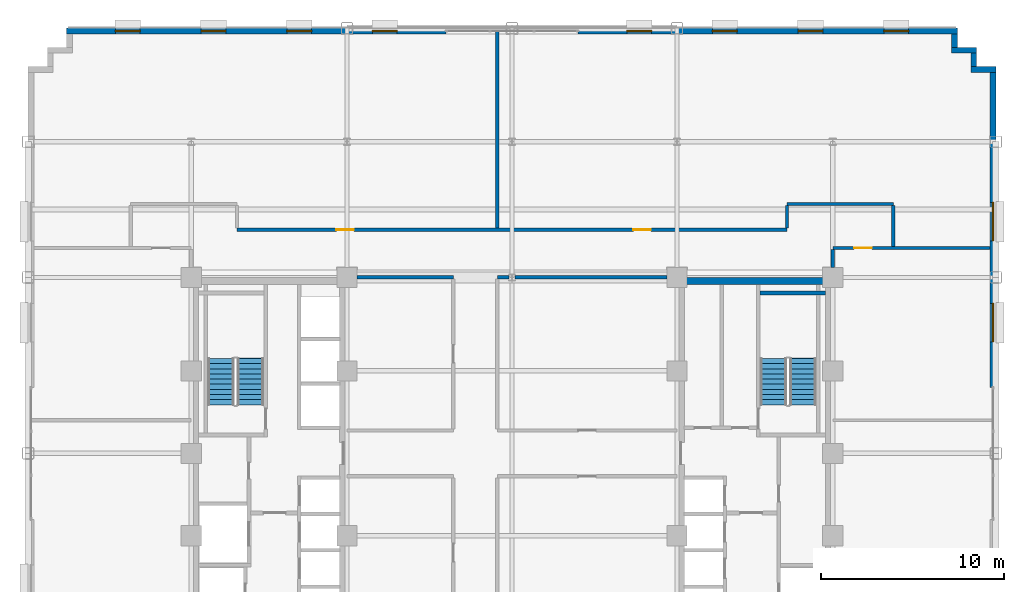
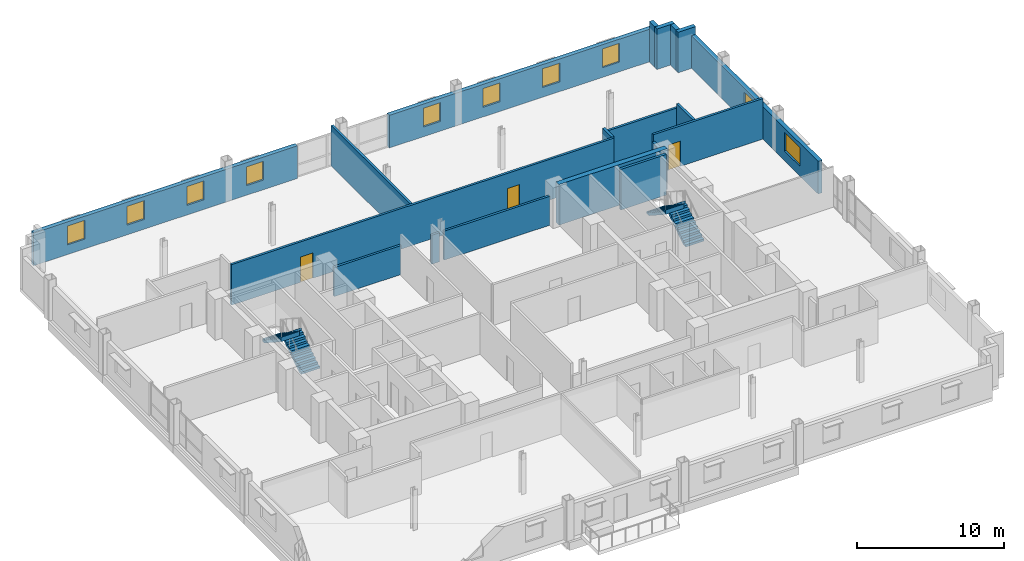
# One storey, part 9 of 17: 19 walls, 10 windows, 4 stair flights, 3 doors, 13 openings, 2 elements without a shape of their own.
"""IFC4 building model written with IfcOpenShell, lengths in metres."""

from ifc_helpers import new_model, si_unit, direction, frame, frame_2d, origin, place, context, subcontext, project, spatial, polyline, rectangle, outline, extrude, source, transform, mapped, material, layer, layer_set, type_object, type_shapes, element, fill, aggregate, save


model = new_model("IFC4")

# Units and contexts
model_context = context("Model", 3, precision=1e-05, world=origin(), true_north=direction((0.0, 1.0)))
body_context = subcontext(model_context, "Body", "Model", "MODEL_VIEW")
ifc_project = project(units=[si_unit("LENGTHUNIT", "METRE"), si_unit("AREAUNIT", "SQUARE_METRE"), si_unit("VOLUMEUNIT", "CUBIC_METRE"), si_unit("PLANEANGLEUNIT", "RADIAN"), si_unit("MASSUNIT", "GRAM", prefix="KILO")], contexts=[model_context])

# Site, building, storey
site_placement = place(None, origin())
site = spatial("IfcSite", under=ifc_project, at=site_placement, CompositionType="ELEMENT")
building_placement = place(site_placement, origin())
building = spatial("IfcBuilding", under=site, at=building_placement, Name="Nuvemarco Arch Tower", CompositionType="ELEMENT")
storey_placement = place(building_placement, frame((0.0, 0.0, 120.199951171875)))
storey = spatial("IfcBuildingStorey", under=building, at=storey_placement, Name="L31", CompositionType="ELEMENT", Elevation=120.199951171875)

# Wall, openings, windows
ifc_material_1 = material(Name="Precast concrete C45/55", Category="concrete")
ifc_layer_1 = layer(ifc_material_1, 0.320068359375, Name="EW-MID-320")
ifc_layer_set_1 = layer_set([ifc_layer_1], Name="Precast concrete C45/55")
wall_type_1 = type_object("IfcWallType", Name="EW-MID-320", PredefinedType="STANDARD", material=ifc_layer_set_1)
wall_1_placement = place(storey_placement, frame((26.239990234375, 3.60009765625, 0.0), z_axis=(0.0, 0.0, 1.0), x_axis=(0.0, 1.0, 0.0)))
wall_1 = element("IfcWall", 1, at=wall_1_placement, inside=storey, type_object=wall_type_1, Name="L31 exterior precast pier wall east right", PredefinedType="STANDARD", context=body_context, shape_type="SweptSolid", body=[
    extrude(rectangle(XDim=17.183837890625, YDim=0.320068359375, at=frame_2d((8.591796875, 0.0))), origin(), (0.0, 0.0, 1.0), 2.705078125),
])
opening_1_placement = place(wall_1_placement, frame((2.480712890625, 0.0, 0.800048828125)))
opening_1 = element("IfcOpeningElement", 2, at=opening_1_placement, cuts=wall_1, Name="Opening WN-5", PredefinedType="OPENING", context=body_context, shape_type="SweptSolid", body=[
    extrude(rectangle(XDim=2.10009765625, YDim=1.56005859375, at=frame_2d((1.050048828125, 0.780029296875))), frame((0.0, 0.169921875, 0.0), z_axis=(0.0, -1.0, 0.0), x_axis=(1.0, 0.0, 0.0)), (0.0, 0.0, 1.0), 0.340087890625),
])
opening_2_placement = place(wall_1_placement, frame((7.991943359375, 0.0, 0.800048828125)))
opening_2 = element("IfcOpeningElement", 3, at=opening_2_placement, cuts=wall_1, Name="Opening WN-5", PredefinedType="OPENING", context=body_context, shape_type="SweptSolid", body=[
    extrude(rectangle(XDim=2.10009765625, YDim=1.56005859375, at=frame_2d((1.050048828125, 0.780029296875))), frame((0.0, 0.169921875, 0.0), z_axis=(0.0, -1.0, 0.0), x_axis=(1.0, 0.0, 0.0)), (0.0, 0.0, 1.0), 0.340087890625),
])
ifc_material_2 = material(Name="Insulated solar-control glass", Category="glass")
window_type_1 = type_object("IfcWindowType", Name="WN-MID-2100x1560", PartitioningType="DOUBLE_PANEL_VERTICAL", PredefinedType="WINDOW", material=ifc_material_2)
shared_shape_1 = source(origin(), body_context, "Body", "SweptSolid", [
    extrude(rectangle(XDim=2.10009765625, YDim=1.56005859375, at=frame_2d((1.050048828125, 0.780029296875))), frame((0.0, 0.030029296875, 0.0), z_axis=(0.0, -1.0, 0.0), x_axis=(1.0, 0.0, 0.0)), (0.0, 0.0, 1.0), 0.06005859375),
])
type_shapes(window_type_1, [shared_shape_1])
window_1_placement = place(opening_1_placement, origin())
window_1 = element("IfcWindow", 4, at=window_1_placement, inside=storey, type_object=window_type_1, Name="L31 punched facade window 1", OverallHeight=1.56005859375, OverallWidth=2.10009765625, PartitioningType="SINGLE_PANEL", PredefinedType="WINDOW", context=body_context, shape_type="MappedRepresentation", body=[
    mapped(shared_shape_1, transform((0.0, 0.0, 0.0), scale=1.0)),
])
fill(opening_1, window_1)
window_2_placement = place(opening_2_placement, origin())
window_2 = element("IfcWindow", 5, at=window_2_placement, inside=storey, type_object=window_type_1, Name="L31 punched facade window 2", OverallHeight=1.56005859375, OverallWidth=2.10009765625, PartitioningType="SINGLE_PANEL", PredefinedType="WINDOW", context=body_context, shape_type="MappedRepresentation", body=[
    mapped(shared_shape_1, transform((0.0, 0.0, 0.0), scale=1.0)),
])
fill(opening_2, window_2)

# Walls
wall_2_placement = place(storey_placement, frame((25.030029296875, 20.93994140625, 0.0), z_axis=(0.0, 0.0, 1.0), x_axis=(1.0, 0.0, 0.0)))
element("IfcWall", 6, at=wall_2_placement, inside=storey, type_object=wall_type_1, Name="L31 exterior precast facade wall 7", PredefinedType="STANDARD", context=body_context, shape_type="SweptSolid", body=[
    extrude(rectangle(XDim=1.369873046875, YDim=0.320068359375, at=frame_2d((0.68505859375, 0.0))), origin(), (0.0, 0.0, 1.0), 3.360107421875),
])
wall_3_placement = place(storey_placement, frame((25.18994140625, 21.095947265625, 0.0), z_axis=(0.0, 0.0, 1.0), x_axis=(0.0, 1.0, 0.0)))
element("IfcWall", 7, at=wall_3_placement, inside=storey, type_object=wall_type_1, Name="L31 exterior precast facade wall 8", PredefinedType="STANDARD", context=body_context, shape_type="SweptSolid", body=[
    extrude(rectangle(XDim=0.738037109375, YDim=0.320068359375, at=frame_2d((0.369140625, 0.0))), origin(), (0.0, 0.0, 1.0), 3.360107421875),
])
wall_4_placement = place(storey_placement, frame((23.97998046875, 21.989990234375, 0.0), z_axis=(0.0, 0.0, 1.0), x_axis=(1.0, 0.0, 0.0)))
element("IfcWall", 8, at=wall_4_placement, inside=storey, type_object=wall_type_1, Name="L31 exterior precast facade wall 9", PredefinedType="STANDARD", context=body_context, shape_type="SweptSolid", body=[
    extrude(rectangle(XDim=1.3701171875, YDim=0.320068359375, at=frame_2d((0.68505859375, 0.0))), origin(), (0.0, 0.0, 1.0), 3.360107421875),
])
wall_5_placement = place(storey_placement, frame((24.139892578125, 22.14599609375, 0.0), z_axis=(0.0, 0.0, 1.0), x_axis=(0.0, 1.0, 0.0)))
element("IfcWall", 9, at=wall_5_placement, inside=storey, type_object=wall_type_1, Name="L31 exterior precast facade wall 10", PredefinedType="STANDARD", context=body_context, shape_type="SweptSolid", body=[
    extrude(rectangle(XDim=0.738037109375, YDim=0.320068359375, at=frame_2d((0.369140625, 0.0))), origin(), (0.0, 0.0, 1.0), 3.360107421875),
])

# Wall, openings, windows
wall_6_placement = place(storey_placement, frame((-24.300048828125, 23.0400390625, 0.0), z_axis=(0.0, 0.0, 1.0), x_axis=(1.0, 0.0, 0.0)))
wall_6 = element("IfcWall", 10, at=wall_6_placement, inside=storey, type_object=wall_type_1, Name="L31 exterior precast pier wall north left", PredefinedType="STANDARD", context=body_context, shape_type="SweptSolid", body=[
    extrude(rectangle(XDim=20.699951171875, YDim=0.320068359375, at=frame_2d((10.35009765625, 0.0))), origin(), (0.0, 0.0, 1.0), 2.705078125),
])
opening_3_placement = place(wall_6_placement, frame((2.66259765625, 0.0, 0.800048828125)))
opening_3 = element("IfcOpeningElement", 11, at=opening_3_placement, cuts=wall_6, Name="Opening WN-6", PredefinedType="OPENING", context=body_context, shape_type="SweptSolid", body=[
    extrude(rectangle(XDim=1.35009765625, YDim=1.56005859375, at=frame_2d((0.675048828125, 0.780029296875))), frame((0.0, 0.169921875, 0.0), z_axis=(0.0, -1.0, 0.0), x_axis=(1.0, 0.0, 0.0)), (0.0, 0.0, 1.0), 0.340087890625),
])
opening_4_placement = place(wall_6_placement, frame((7.33740234375, 0.0, 0.800048828125)))
opening_4 = element("IfcOpeningElement", 12, at=opening_4_placement, cuts=wall_6, Name="Opening WN-6", PredefinedType="OPENING", context=body_context, shape_type="SweptSolid", body=[
    extrude(rectangle(XDim=1.35009765625, YDim=1.56005859375, at=frame_2d((0.675048828125, 0.780029296875))), frame((0.0, 0.169921875, 0.0), z_axis=(0.0, -1.0, 0.0), x_axis=(1.0, 0.0, 0.0)), (0.0, 0.0, 1.0), 0.340087890625),
])
opening_5_placement = place(wall_6_placement, frame((12.012451171875, 0.0, 0.800048828125)))
opening_5 = element("IfcOpeningElement", 13, at=opening_5_placement, cuts=wall_6, Name="Opening WN-6", PredefinedType="OPENING", context=body_context, shape_type="SweptSolid", body=[
    extrude(rectangle(XDim=1.35009765625, YDim=1.56005859375, at=frame_2d((0.675048828125, 0.780029296875))), frame((0.0, 0.169921875, 0.0), z_axis=(0.0, -1.0, 0.0), x_axis=(1.0, 0.0, 0.0)), (0.0, 0.0, 1.0), 0.340087890625),
])
opening_6_placement = place(wall_6_placement, frame((16.6875, 0.0, 0.800048828125)))
opening_6 = element("IfcOpeningElement", 14, at=opening_6_placement, cuts=wall_6, Name="Opening WN-6", PredefinedType="OPENING", context=body_context, shape_type="SweptSolid", body=[
    extrude(rectangle(XDim=1.35009765625, YDim=1.56005859375, at=frame_2d((0.675048828125, 0.780029296875))), frame((0.0, 0.169921875, 0.0), z_axis=(0.0, -1.0, 0.0), x_axis=(1.0, 0.0, 0.0)), (0.0, 0.0, 1.0), 0.340087890625),
])
window_type_2 = type_object("IfcWindowType", Name="WN-MID-1350x1560", PartitioningType="SINGLE_PANEL", PredefinedType="WINDOW", material=ifc_material_2)
shared_shape_2 = source(origin(), body_context, "Body", "SweptSolid", [
    extrude(rectangle(XDim=1.35009765625, YDim=1.56005859375, at=frame_2d((0.675048828125, 0.780029296875))), frame((0.0, 0.030029296875, 0.0), z_axis=(0.0, -1.0, 0.0), x_axis=(1.0, 0.0, 0.0)), (0.0, 0.0, 1.0), 0.06005859375),
])
type_shapes(window_type_2, [shared_shape_2])
window_3_placement = place(opening_3_placement, origin())
window_3 = element("IfcWindow", 15, at=window_3_placement, inside=storey, type_object=window_type_2, Name="L31 punched facade window 1", OverallHeight=1.56005859375, OverallWidth=1.35009765625, PartitioningType="SINGLE_PANEL", PredefinedType="WINDOW", context=body_context, shape_type="MappedRepresentation", body=[
    mapped(shared_shape_2, transform((0.0, 0.0, 0.0), scale=1.0)),
])
fill(opening_3, window_3)
window_4_placement = place(opening_4_placement, origin())
window_4 = element("IfcWindow", 16, at=window_4_placement, inside=storey, type_object=window_type_2, Name="L31 punched facade window 2", OverallHeight=1.56005859375, OverallWidth=1.35009765625, PartitioningType="SINGLE_PANEL", PredefinedType="WINDOW", context=body_context, shape_type="MappedRepresentation", body=[
    mapped(shared_shape_2, transform((0.0, 0.0, 0.0), scale=1.0)),
])
fill(opening_4, window_4)
window_5_placement = place(opening_5_placement, origin())
window_5 = element("IfcWindow", 17, at=window_5_placement, inside=storey, type_object=window_type_2, Name="L31 punched facade window 3", OverallHeight=1.56005859375, OverallWidth=1.35009765625, PartitioningType="SINGLE_PANEL", PredefinedType="WINDOW", context=body_context, shape_type="MappedRepresentation", body=[
    mapped(shared_shape_2, transform((0.0, 0.0, 0.0), scale=1.0)),
])
fill(opening_5, window_5)
window_6_placement = place(opening_6_placement, origin())
window_6 = element("IfcWindow", 18, at=window_6_placement, inside=storey, type_object=window_type_2, Name="L31 punched facade window 4", OverallHeight=1.56005859375, OverallWidth=1.35009765625, PartitioningType="SINGLE_PANEL", PredefinedType="WINDOW", context=body_context, shape_type="MappedRepresentation", body=[
    mapped(shared_shape_2, transform((0.0, 0.0, 0.0), scale=1.0)),
])
fill(opening_6, window_6)

wall_7_placement = place(storey_placement, frame((3.60009765625, 23.0400390625, 0.0), z_axis=(0.0, 0.0, 1.0), x_axis=(1.0, 0.0, 0.0)))
wall_7 = element("IfcWall", 19, at=wall_7_placement, inside=storey, type_object=wall_type_1, Name="L31 exterior precast pier wall north right", PredefinedType="STANDARD", context=body_context, shape_type="SweptSolid", body=[
    extrude(rectangle(XDim=20.699951171875, YDim=0.320068359375, at=frame_2d((10.35009765625, 0.0))), origin(), (0.0, 0.0, 1.0), 2.705078125),
])
opening_7_placement = place(wall_7_placement, frame((2.66259765625, 0.0, 0.800048828125)))
opening_7 = element("IfcOpeningElement", 20, at=opening_7_placement, cuts=wall_7, Name="Opening WN-6", PredefinedType="OPENING", context=body_context, shape_type="SweptSolid", body=[
    extrude(rectangle(XDim=1.35009765625, YDim=1.56005859375, at=frame_2d((0.675048828125, 0.780029296875))), frame((0.0, 0.169921875, 0.0), z_axis=(0.0, -1.0, 0.0), x_axis=(1.0, 0.0, 0.0)), (0.0, 0.0, 1.0), 0.340087890625),
])
opening_8_placement = place(wall_7_placement, frame((7.33740234375, 0.0, 0.800048828125)))
opening_8 = element("IfcOpeningElement", 21, at=opening_8_placement, cuts=wall_7, Name="Opening WN-6", PredefinedType="OPENING", context=body_context, shape_type="SweptSolid", body=[
    extrude(rectangle(XDim=1.35009765625, YDim=1.56005859375, at=frame_2d((0.675048828125, 0.780029296875))), frame((0.0, 0.169921875, 0.0), z_axis=(0.0, -1.0, 0.0), x_axis=(1.0, 0.0, 0.0)), (0.0, 0.0, 1.0), 0.340087890625),
])
opening_9_placement = place(wall_7_placement, frame((12.012451171875, 0.0, 0.800048828125)))
opening_9 = element("IfcOpeningElement", 22, at=opening_9_placement, cuts=wall_7, Name="Opening WN-6", PredefinedType="OPENING", context=body_context, shape_type="SweptSolid", body=[
    extrude(rectangle(XDim=1.35009765625, YDim=1.56005859375, at=frame_2d((0.675048828125, 0.780029296875))), frame((0.0, 0.169921875, 0.0), z_axis=(0.0, -1.0, 0.0), x_axis=(1.0, 0.0, 0.0)), (0.0, 0.0, 1.0), 0.340087890625),
])
opening_10_placement = place(wall_7_placement, frame((16.6875, 0.0, 0.800048828125)))
opening_10 = element("IfcOpeningElement", 23, at=opening_10_placement, cuts=wall_7, Name="Opening WN-6", PredefinedType="OPENING", context=body_context, shape_type="SweptSolid", body=[
    extrude(rectangle(XDim=1.35009765625, YDim=1.56005859375, at=frame_2d((0.675048828125, 0.780029296875))), frame((0.0, 0.169921875, 0.0), z_axis=(0.0, -1.0, 0.0), x_axis=(1.0, 0.0, 0.0)), (0.0, 0.0, 1.0), 0.340087890625),
])
window_7_placement = place(opening_7_placement, origin())
window_7 = element("IfcWindow", 24, at=window_7_placement, inside=storey, type_object=window_type_2, Name="L31 punched facade window 1", OverallHeight=1.56005859375, OverallWidth=1.35009765625, PartitioningType="SINGLE_PANEL", PredefinedType="WINDOW", context=body_context, shape_type="MappedRepresentation", body=[
    mapped(shared_shape_2, transform((0.0, 0.0, 0.0), scale=1.0)),
])
fill(opening_7, window_7)
window_8_placement = place(opening_8_placement, origin())
window_8 = element("IfcWindow", 25, at=window_8_placement, inside=storey, type_object=window_type_2, Name="L31 punched facade window 2", OverallHeight=1.56005859375, OverallWidth=1.35009765625, PartitioningType="SINGLE_PANEL", PredefinedType="WINDOW", context=body_context, shape_type="MappedRepresentation", body=[
    mapped(shared_shape_2, transform((0.0, 0.0, 0.0), scale=1.0)),
])
fill(opening_8, window_8)
window_9_placement = place(opening_9_placement, origin())
window_9 = element("IfcWindow", 26, at=window_9_placement, inside=storey, type_object=window_type_2, Name="L31 punched facade window 3", OverallHeight=1.56005859375, OverallWidth=1.35009765625, PartitioningType="SINGLE_PANEL", PredefinedType="WINDOW", context=body_context, shape_type="MappedRepresentation", body=[
    mapped(shared_shape_2, transform((0.0, 0.0, 0.0), scale=1.0)),
])
fill(opening_9, window_9)
window_10_placement = place(opening_10_placement, origin())
window_10 = element("IfcWindow", 27, at=window_10_placement, inside=storey, type_object=window_type_2, Name="L31 punched facade window 4", OverallHeight=1.56005859375, OverallWidth=1.35009765625, PartitioningType="SINGLE_PANEL", PredefinedType="WINDOW", context=body_context, shape_type="MappedRepresentation", body=[
    mapped(shared_shape_2, transform((0.0, 0.0, 0.0), scale=1.0)),
])
fill(opening_10, window_10)

# Walls
ifc_material_3 = material(Name="Concrete C60/75", Category="concrete")
ifc_layer_2 = layer(ifc_material_3, 0.39990234375, Name="WL-CORE-400")
ifc_layer_set_2 = layer_set([ifc_layer_2], Name="Concrete C60/75")
wall_type_2 = type_object("IfcWallType", Name="WL-CORE-400", PredefinedType="SHEAR", material=ifc_layer_set_2)
wall_8_placement = place(storey_placement, frame((9.0, 9.39990234375, 0.0), z_axis=(0.0, 0.0, 1.0), x_axis=(1.0, 0.0, 0.0)))
element("IfcWall", 28, at=wall_8_placement, inside=storey, type_object=wall_type_2, Name="L31 E-core shear wall N", PredefinedType="SHEAR", context=body_context, shape_type="SweptSolid", body=[
    extrude(rectangle(XDim=8.5, YDim=0.39990234375, at=frame_2d((4.25, 0.0))), origin(), (0.0, 0.0, 1.0), 3.3701171875),
])
ifc_material_4 = material(Name="Fire-rated gypsum drywall partition")
ifc_layer_3 = layer(ifc_material_4, 0.179931640625, Name="WL-CORR-180")
ifc_layer_set_3 = layer_set([ifc_layer_3], Name="Fire-rated gypsum drywall partition")
wall_type_3 = type_object("IfcWallType", Name="WL-CORR-180", PredefinedType="PARTITIONING", material=ifc_layer_set_3)
wall_9_placement = place(storey_placement, frame((-8.4541015625, 9.60009765625, 0.0), z_axis=(0.0, 0.0, 1.0), x_axis=(1.0, 0.0, 0.0)))
element("IfcWall", 29, at=wall_9_placement, inside=storey, type_object=wall_type_3, Name="L31 interior wall IW-L31-016", PredefinedType="PARTITIONING", context=body_context, shape_type="SweptSolid", body=[
    extrude(rectangle(XDim=5.254150390625, YDim=0.179931640625, at=frame_2d((2.626953125, 0.0))), origin(), (0.0, 0.0, 1.0), 2.405029296875),
])
wall_10_placement = place(storey_placement, frame((-0.800048828125, 9.60009765625, 0.0), z_axis=(0.0, 0.0, 1.0), x_axis=(1.0, 0.0, 0.0)))
element("IfcWall", 30, at=wall_10_placement, inside=storey, type_object=wall_type_3, Name="L31 interior wall IW-L31-017", PredefinedType="PARTITIONING", context=body_context, shape_type="SweptSolid", body=[
    extrude(rectangle(XDim=0.6240234375, YDim=0.179931640625, at=frame_2d((0.31201171875, 0.0))), origin(), (0.0, 0.0, 1.0), 2.405029296875),
])
wall_11_placement = place(storey_placement, frame((0.176025390625, 9.60009765625, 0.0), z_axis=(0.0, 0.0, 1.0), x_axis=(1.0, 0.0, 0.0)))
element("IfcWall", 31, at=wall_11_placement, inside=storey, type_object=wall_type_3, Name="L31 interior wall IW-L31-018", PredefinedType="PARTITIONING", context=body_context, shape_type="SweptSolid", body=[
    extrude(rectangle(XDim=8.278076171875, YDim=0.179931640625, at=frame_2d((4.13916015625, 0.0))), origin(), (0.0, 0.0, 1.0), 2.405029296875),
])

# Wall, opening, door
wall_12_placement = place(storey_placement, frame((17.5, 11.199951171875, 0.0), z_axis=(0.0, 0.0, 1.0), x_axis=(1.0, 0.0, 0.0)))
wall_12 = element("IfcWall", 32, at=wall_12_placement, inside=storey, type_object=wall_type_3, Name="L31 interior wall IW-L31-020", PredefinedType="PARTITIONING", context=body_context, shape_type="SweptSolid", body=[
    extrude(rectangle(XDim=8.580078125, YDim=0.179931640625, at=frame_2d((4.2900390625, 0.0))), origin(), (0.0, 0.0, 1.0), 3.360107421875),
])
opening_11_placement = place(wall_12_placement, frame((1.169921875, 0.0, 0.0)))
opening_11 = element("IfcOpeningElement", 33, at=opening_11_placement, cuts=wall_12, Name="Opening FD-5", PredefinedType="OPENING", context=body_context, shape_type="SweptSolid", body=[
    extrude(rectangle(XDim=0.9599609375, YDim=2.10009765625, at=frame_2d((0.47998046875, 1.050048828125))), frame((0.0, 0.099853515625, 0.0), z_axis=(0.0, -1.0, 0.0), x_axis=(1.0, 0.0, 0.0)), (0.0, 0.0, 1.0), 0.199951171875),
])
ifc_material_5 = material(Name="Timber fire door", Category="wood")
door_type = type_object("IfcDoorType", Name="DR-CORR-FD", OperationType="NOTDEFINED", PredefinedType="DOOR", material=ifc_material_5)
shared_shape_3 = source(origin(), body_context, "Body", "SweptSolid", [
    extrude(rectangle(XDim=0.9599609375, YDim=2.10009765625, at=frame_2d((0.47998046875, 1.050048828125))), frame((0.0, 0.02490234375, 0.0), z_axis=(0.0, -1.0, 0.0), x_axis=(1.0, 0.0, 0.0)), (0.0, 0.0, 1.0), 0.050048828125),
])
type_shapes(door_type, [shared_shape_3])
door_1_placement = place(opening_11_placement, origin())
door_1 = element("IfcDoor", 34, at=door_1_placement, inside=storey, type_object=door_type, Name="L31 door DR-L31-E_2", OperationType="SINGLE_SWING_RIGHT", OverallHeight=2.10009765625, OverallWidth=0.9599609375, PredefinedType="DOOR", context=body_context, shape_type="MappedRepresentation", body=[
    mapped(shared_shape_3, transform((0.0, 0.0, 0.0), scale=1.0)),
])
fill(opening_11, door_1)

# Wall, openings, doors
wall_13_placement = place(storey_placement, frame((-15.0, 12.199951171875, 0.0), z_axis=(0.0, 0.0, 1.0), x_axis=(1.0, 0.0, 0.0)))
wall_13 = element("IfcWall", 35, at=wall_13_placement, inside=storey, type_object=wall_type_3, Name="L31 interior wall IW-L31-021", PredefinedType="PARTITIONING", context=body_context, shape_type="SweptSolid", body=[
    extrude(rectangle(XDim=30.0, YDim=0.179931640625, at=frame_2d((15.0, 0.0))), origin(), (0.0, 0.0, 1.0), 3.360107421875),
])
opening_12_placement = place(wall_13_placement, frame((21.6201171875, 0.0, 0.0)))
opening_12 = element("IfcOpeningElement", 36, at=opening_12_placement, cuts=wall_13, Name="Opening FD-5", PredefinedType="OPENING", context=body_context, shape_type="SweptSolid", body=[
    extrude(rectangle(XDim=0.9599609375, YDim=2.10009765625, at=frame_2d((0.47998046875, 1.050048828125))), frame((0.0, 0.099853515625, 0.0), z_axis=(0.0, -1.0, 0.0), x_axis=(1.0, 0.0, 0.0)), (0.0, 0.0, 1.0), 0.199951171875),
])
opening_13_placement = place(wall_13_placement, frame((5.419921875, 0.0, 0.0)))
opening_13 = element("IfcOpeningElement", 37, at=opening_13_placement, cuts=wall_13, Name="Opening FD-5", PredefinedType="OPENING", context=body_context, shape_type="SweptSolid", body=[
    extrude(rectangle(XDim=0.9599609375, YDim=2.10009765625, at=frame_2d((0.47998046875, 1.050048828125))), frame((0.0, 0.099853515625, 0.0), z_axis=(0.0, -1.0, 0.0), x_axis=(1.0, 0.0, 0.0)), (0.0, 0.0, 1.0), 0.199951171875),
])
door_2_placement = place(opening_12_placement, origin())
door_2 = element("IfcDoor", 38, at=door_2_placement, inside=storey, type_object=door_type, Name="L31 door DR-L31-SKY_CLUB", OperationType="SINGLE_SWING_LEFT", OverallHeight=2.10009765625, OverallWidth=0.9599609375, PredefinedType="DOOR", context=body_context, shape_type="MappedRepresentation", body=[
    mapped(shared_shape_3, transform((0.0, 0.0, 0.0), scale=1.0)),
])
fill(opening_12, door_2)
door_3_placement = place(opening_13_placement, origin())
door_3 = element("IfcDoor", 39, at=door_3_placement, inside=storey, type_object=door_type, Name="L31 door DR-L31-SKY_LOB", OperationType="SINGLE_SWING_RIGHT", OverallHeight=2.10009765625, OverallWidth=0.9599609375, PredefinedType="DOOR", context=body_context, shape_type="MappedRepresentation", body=[
    mapped(shared_shape_3, transform((0.0, 0.0, 0.0), scale=1.0)),
])
fill(opening_13, door_3)

# Walls
wall_14_placement = place(storey_placement, frame((15.0, 13.60009765625, 0.0), z_axis=(0.0, 0.0, 1.0), x_axis=(1.0, 0.0, 0.0)))
element("IfcWall", 40, at=wall_14_placement, inside=storey, type_object=wall_type_3, Name="L31 interior wall IW-L31-023", PredefinedType="PARTITIONING", context=body_context, shape_type="SweptSolid", body=[
    extrude(rectangle(XDim=5.800048828125, YDim=0.179931640625, at=frame_2d((2.89990234375, 0.0))), origin(), (0.0, 0.0, 1.0), 2.998046875),
])
wall_15_placement = place(storey_placement, frame((-0.800048828125, 12.285888671875, 0.0), z_axis=(0.0, 0.0, 1.0), x_axis=(0.0, 1.0, 0.0)))
element("IfcWall", 41, at=wall_15_placement, inside=storey, type_object=wall_type_3, Name="L31 interior wall IW-L31-035", PredefinedType="PARTITIONING", context=body_context, shape_type="SweptSolid", body=[
    extrude(rectangle(XDim=10.739013671875, YDim=0.179931640625, at=frame_2d((5.36962890625, 0.0))), origin(), (0.0, 0.0, 1.0), 3.360107421875),
])
wall_16_placement = place(storey_placement, frame((15.0, 12.285888671875, 0.0), z_axis=(0.0, 0.0, 1.0), x_axis=(0.0, 1.0, 0.0)))
element("IfcWall", 42, at=wall_16_placement, inside=storey, type_object=wall_type_3, Name="L31 interior wall IW-L31-041", PredefinedType="PARTITIONING", context=body_context, shape_type="SweptSolid", body=[
    extrude(rectangle(XDim=1.22802734375, YDim=0.179931640625, at=frame_2d((0.614013671875, 0.0))), origin(), (0.0, 0.0, 1.0), 3.360107421875),
])
wall_17_placement = place(storey_placement, frame((17.5, 10.14599609375, 0.0), z_axis=(0.0, 0.0, 1.0), x_axis=(0.0, 1.0, 0.0)))
element("IfcWall", 43, at=wall_17_placement, inside=storey, type_object=wall_type_3, Name="L31 interior wall IW-L31-043", PredefinedType="PARTITIONING", context=body_context, shape_type="SweptSolid", body=[
    extrude(rectangle(XDim=0.968017578125, YDim=0.179931640625, at=frame_2d((0.48388671875, 0.0))), origin(), (0.0, 0.0, 1.0), 2.816162109375),
])
wall_18_placement = place(storey_placement, frame((20.800048828125, 11.285888671875, 0.0), z_axis=(0.0, 0.0, 1.0), x_axis=(0.0, 1.0, 0.0)))
element("IfcWall", 44, at=wall_18_placement, inside=storey, type_object=wall_type_3, Name="L31 interior wall IW-L31-045", PredefinedType="PARTITIONING", context=body_context, shape_type="SweptSolid", body=[
    extrude(rectangle(XDim=2.22802734375, YDim=0.179931640625, at=frame_2d((1.114013671875, 0.0))), origin(), (0.0, 0.0, 1.0), 3.360107421875),
])
ifc_material_6 = material(Name="Concrete C50/60", Category="concrete")
ifc_layer_4 = layer(ifc_material_6, 0.199951171875, Name="WL-SHAFT-220")
ifc_layer_set_4 = layer_set([ifc_layer_4], Name="Concrete C50/60")
wall_type_4 = type_object("IfcWallType", Name="WL-SHAFT-220", PredefinedType="SHEAR", material=ifc_layer_set_4)
wall_19_placement = place(storey_placement, frame((13.534912109375, 8.75, 0.0), z_axis=(0.0, 0.0, 1.0), x_axis=(1.0, 0.0, 0.0)))
element("IfcWall", 45, at=wall_19_placement, inside=storey, type_object=wall_type_4, Name="L31 structural shaft wall SW-L31-E-ST2N", PredefinedType="SHEAR", context=body_context, shape_type="SweptSolid", body=[
    extrude(rectangle(XDim=3.570068359375, YDim=0.199951171875, at=frame_2d((1.78515625, 0.0))), origin(), (0.0, 0.0, 1.0), 3.3701171875),
])

# Stair, stair flights
stair_type = type_object("IfcStairType", Name="ST-CORE-20R", PredefinedType="HALF_TURN_STAIR", material=ifc_material_1)
stair_1_placement = place(storey_placement, origin())
stair_1 = element("IfcStair", 46, at=stair_1_placement, inside=storey, type_object=stair_type, Name="L31 Protected Exit Stair ST-1", PredefinedType="HALF_TURN_STAIR")
stair_flight_type = type_object("IfcStairFlightType", Name="SF-CORE-20R", PredefinedType="STRAIGHT", material=ifc_material_1)
stair_flight_1_placement = place(storey_placement, frame((-14.264892578125, 2.64990234375, 0.0), z_axis=(0.0, 0.0, 1.0), x_axis=(0.0, 1.0, 0.0)))
stair_flight_1 = element("IfcStairFlight", 47, at=stair_flight_1_placement, type_object=stair_flight_type, Name="ST-20R flight 1", NumberOfRisers=10, NumberOfTreads=9, PredefinedType="STRAIGHT", RiserHeight=0.1825, TreadLength=0.28, context=body_context, shape_type="SweptSolid", body=[
    extrude(outline(polyline([(0.0, 0.0), (0.0, 0.1826171875), (0.280029296875, 0.1826171875), (0.280029296875, 0.364990234375), (0.56005859375, 0.364990234375), (0.56005859375, 0.547607421875), (0.840087890625, 0.547607421875), (0.840087890625, 0.72998046875), (1.1201171875, 0.72998046875), (1.1201171875, 0.91259765625), (1.39990234375, 0.91259765625), (1.39990234375, 1.094970703125), (1.679931640625, 1.094970703125), (1.679931640625, 1.277587890625), (1.9599609375, 1.277587890625), (1.9599609375, 1.4599609375), (2.239990234375, 1.4599609375), (2.239990234375, 1.642578125), (2.52001953125, 1.642578125), (2.52001953125, 1.824951171875), (2.5400390625, 1.824951171875), (2.5400390625, 1.45166015625), (0.312744140625, 0.0), (0.0, 0.0)])), frame((0.0, 0.72509765625, 0.0), z_axis=(0.0, -1.0, 0.0), x_axis=(1.0, 0.0, 0.0)), (0.0, 0.0, 1.0), 1.449951171875),
])
stair_flight_2_placement = place(storey_placement, frame((-15.875, 5.169921875, 1.824951171875), z_axis=(0.0, 0.0, 1.0), x_axis=(0.0, -1.0, 0.0)))
stair_flight_2 = element("IfcStairFlight", 48, at=stair_flight_2_placement, type_object=stair_flight_type, Name="ST-20R flight 2", NumberOfRisers=10, NumberOfTreads=9, PredefinedType="STRAIGHT", RiserHeight=0.1825, TreadLength=0.28, context=body_context, shape_type="SweptSolid", body=[
    extrude(outline(polyline([(0.0, 0.0), (0.0, 0.1826171875), (0.280029296875, 0.1826171875), (0.280029296875, 0.364990234375), (0.56005859375, 0.364990234375), (0.56005859375, 0.547607421875), (0.840087890625, 0.547607421875), (0.840087890625, 0.72998046875), (1.1201171875, 0.72998046875), (1.1201171875, 0.91259765625), (1.39990234375, 0.91259765625), (1.39990234375, 1.094970703125), (1.679931640625, 1.094970703125), (1.679931640625, 1.277587890625), (1.9599609375, 1.277587890625), (1.9599609375, 1.4599609375), (2.239990234375, 1.4599609375), (2.239990234375, 1.642578125), (2.52001953125, 1.642578125), (2.52001953125, 1.824951171875), (2.5400390625, 1.824951171875), (2.5400390625, 1.45166015625), (0.312744140625, 0.0), (0.0, 0.0)])), frame((0.0, 0.72509765625, 0.0), z_axis=(0.0, -1.0, 0.0), x_axis=(1.0, 0.0, 0.0)), (0.0, 0.0, 1.0), 1.449951171875),
])
aggregate(stair_1, [stair_flight_1, stair_flight_2])

stair_2_placement = place(storey_placement, origin())
stair_2 = element("IfcStair", 49, at=stair_2_placement, inside=storey, type_object=stair_type, Name="L31 Protected Exit Stair ST-2", PredefinedType="HALF_TURN_STAIR")
stair_flight_3_placement = place(storey_placement, frame((15.875, 2.64990234375, 0.0), z_axis=(0.0, 0.0, 1.0), x_axis=(0.0, 1.0, 0.0)))
stair_flight_3 = element("IfcStairFlight", 50, at=stair_flight_3_placement, type_object=stair_flight_type, Name="ST-20R flight 1", NumberOfRisers=10, NumberOfTreads=9, PredefinedType="STRAIGHT", RiserHeight=0.1825, TreadLength=0.28, context=body_context, shape_type="SweptSolid", body=[
    extrude(outline(polyline([(0.0, 0.0), (0.0, 0.1826171875), (0.280029296875, 0.1826171875), (0.280029296875, 0.364990234375), (0.56005859375, 0.364990234375), (0.56005859375, 0.547607421875), (0.840087890625, 0.547607421875), (0.840087890625, 0.72998046875), (1.1201171875, 0.72998046875), (1.1201171875, 0.91259765625), (1.39990234375, 0.91259765625), (1.39990234375, 1.094970703125), (1.679931640625, 1.094970703125), (1.679931640625, 1.277587890625), (1.9599609375, 1.277587890625), (1.9599609375, 1.4599609375), (2.239990234375, 1.4599609375), (2.239990234375, 1.642578125), (2.52001953125, 1.642578125), (2.52001953125, 1.824951171875), (2.5400390625, 1.824951171875), (2.5400390625, 1.45166015625), (0.312744140625, 0.0), (0.0, 0.0)])), frame((0.0, 0.72509765625, 0.0), z_axis=(0.0, -1.0, 0.0), x_axis=(1.0, 0.0, 0.0)), (0.0, 0.0, 1.0), 1.449951171875),
])
stair_flight_4_placement = place(storey_placement, frame((14.264892578125, 5.169921875, 1.824951171875), z_axis=(0.0, 0.0, 1.0), x_axis=(0.0, -1.0, 0.0)))
stair_flight_4 = element("IfcStairFlight", 51, at=stair_flight_4_placement, type_object=stair_flight_type, Name="ST-20R flight 2", NumberOfRisers=10, NumberOfTreads=9, PredefinedType="STRAIGHT", RiserHeight=0.1825, TreadLength=0.28, context=body_context, shape_type="SweptSolid", body=[
    extrude(outline(polyline([(0.0, 0.0), (0.0, 0.1826171875), (0.280029296875, 0.1826171875), (0.280029296875, 0.364990234375), (0.56005859375, 0.364990234375), (0.56005859375, 0.547607421875), (0.840087890625, 0.547607421875), (0.840087890625, 0.72998046875), (1.1201171875, 0.72998046875), (1.1201171875, 0.91259765625), (1.39990234375, 0.91259765625), (1.39990234375, 1.094970703125), (1.679931640625, 1.094970703125), (1.679931640625, 1.277587890625), (1.9599609375, 1.277587890625), (1.9599609375, 1.4599609375), (2.239990234375, 1.4599609375), (2.239990234375, 1.642578125), (2.52001953125, 1.642578125), (2.52001953125, 1.824951171875), (2.5400390625, 1.824951171875), (2.5400390625, 1.45166015625), (0.312744140625, 0.0), (0.0, 0.0)])), frame((0.0, 0.72509765625, 0.0), z_axis=(0.0, -1.0, 0.0), x_axis=(1.0, 0.0, 0.0)), (0.0, 0.0, 1.0), 1.449951171875),
])
aggregate(stair_2, [stair_flight_3, stair_flight_4])

save(model, "model.ifc")
